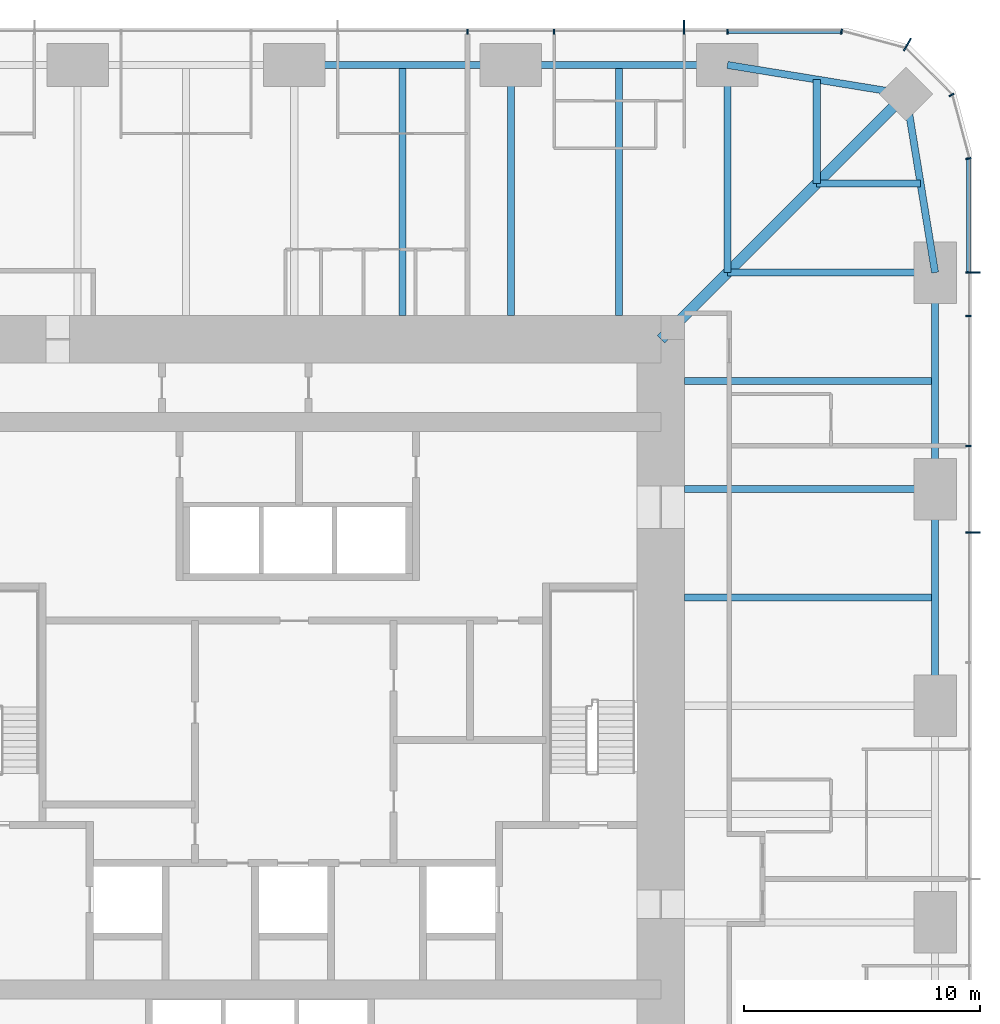
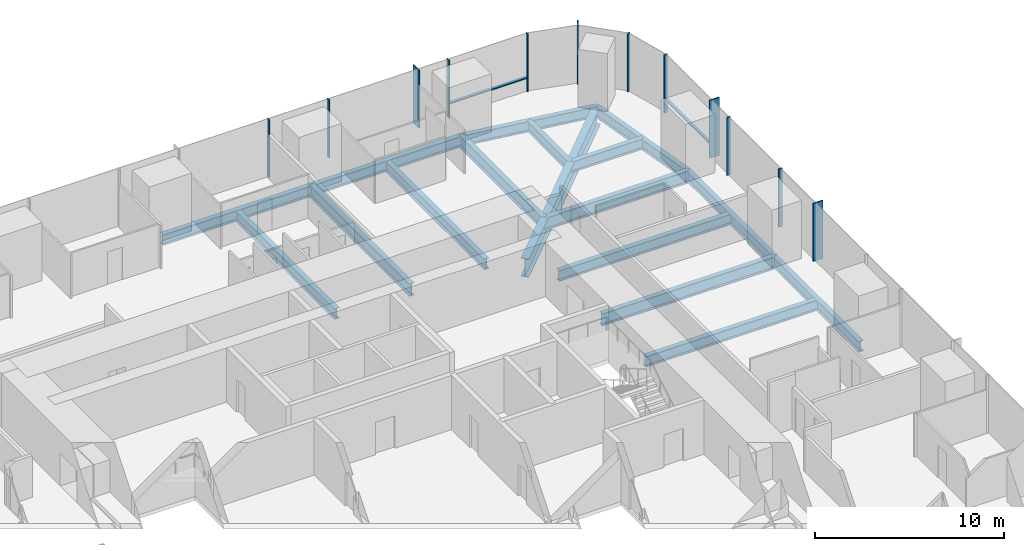
# One storey, part 6 of 13: 17 beams, 14 members, 3 elements without a shape of their own.
"""IFC4 building model written with IfcOpenShell, lengths in metres."""

from ifc_helpers import new_model, si_unit, direction, frame, origin, origin_2d, place, context, subcontext, project, spatial, rectangle, i_section, extrude, material, material_profile, profile_set, type_object, element, aggregate, save


model = new_model("IFC4")

# Units and contexts
model_context = context("Model", 3, precision=1e-05, world=origin(), true_north=direction((0.0, 1.0)))
body_context = subcontext(model_context, "Body", "Model", "MODEL_VIEW")
ifc_project = project(units=[si_unit("LENGTHUNIT", "METRE"), si_unit("AREAUNIT", "SQUARE_METRE"), si_unit("VOLUMEUNIT", "CUBIC_METRE"), si_unit("PLANEANGLEUNIT", "RADIAN"), si_unit("MASSUNIT", "GRAM", prefix="KILO")], contexts=[model_context])

# Site, building, storey
site_placement = place(None, origin())
site = spatial("IfcSite", under=ifc_project, at=site_placement, CompositionType="ELEMENT")
building_placement = place(site_placement, origin())
building = spatial("IfcBuilding", under=site, at=building_placement, Name="Khuree Lantern Residences", CompositionType="ELEMENT")
storey_placement = place(building_placement, frame((0.0, 0.0, 152.25)))
storey = spatial("IfcBuildingStorey", under=building, at=storey_placement, Name="L38", CompositionType="ELEMENT", Elevation=152.25)

# Beams
ifc_material_1 = material(Name="Steel S355", Category="steel")
ifc_material_profile_1 = material_profile(ifc_material_1, i_section(OverallWidth=0.300048828125, OverallDepth=0.68994140625, WebThickness=0.014404296875, FlangeThickness=0.027099609375, FilletRadius=0.027099609375, at=origin_2d()), Name="HE 700 A")
ifc_profile_set_1 = profile_set([ifc_material_profile_1], Name="Steel S355")
beam_type_1 = type_object("IfcBeamType", Name="B-24 SECONDARY BEAM HE 700 A", PredefinedType="BEAM", material=ifc_profile_set_1)
for number, where, z_axis, x_axis, name in (
    (1, (4.580078125, 27.10009765625, -0.594970703125), (0.0, -1.0, 0.0), (1.0, 0.0, 0.0), "Secondary beam N3"),
    (2, (13.739990234375, 27.10009765625, -0.594970703125), (0.0, -1.0, 0.0), (1.0, 0.0, 0.0), "Secondary beam N4"),
):
    element("IfcBeam", number, at=place(storey_placement, frame(where, z_axis=z_axis, x_axis=x_axis)), inside=storey, type_object=beam_type_1, Name=name, PredefinedType="BEAM", context=body_context, shape_type="SweptSolid", body=[
        extrude(i_section(OverallWidth=0.300048828125, OverallDepth=0.68994140625, WebThickness=0.014404296875, FlangeThickness=0.027099609375, FilletRadius=0.027099609375, at=origin_2d()), origin(), (0.0, 0.0, 1.0), 10.60009765625),
    ])
for number, where, z_axis, x_axis, name in (
    (3, (22.094970703125, 26.48486328125, -0.594970703125), (0.0, -1.0, 0.0), (1.0, 0.0, 0.0), "Secondary beam N5"),
    (4, (26.48486328125, 22.094970703125, -0.594970703125), (-1.0, 0.0, 0.0), (0.0, -1.0, 0.0), "Secondary beam E1"),
):
    element("IfcBeam", number, at=place(storey_placement, frame(where, z_axis=z_axis, x_axis=x_axis)), inside=storey, type_object=beam_type_1, Name=name, PredefinedType="BEAM", context=body_context, shape_type="SweptSolid", body=[
        extrude(i_section(OverallWidth=0.300048828125, OverallDepth=0.68994140625, WebThickness=0.014404296875, FlangeThickness=0.027099609375, FilletRadius=0.027099609375, at=origin_2d()), origin(), (0.0, 0.0, 1.0), 4.389892578125),
    ])
for number, where, z_axis, x_axis, name in (
    (5, (27.10009765625, 13.739990234375, -0.594970703125), (-1.0, 0.0, 0.0), (0.0, -1.0, 0.0), "Secondary beam E2"),
    (6, (27.10009765625, 4.580078125, -0.594970703125), (-1.0, 0.0, 0.0), (0.0, -1.0, 0.0), "Secondary beam E3"),
):
    element("IfcBeam", number, at=place(storey_placement, frame(where, z_axis=z_axis, x_axis=x_axis)), inside=storey, type_object=beam_type_1, Name=name, PredefinedType="BEAM", context=body_context, shape_type="SweptSolid", body=[
        extrude(i_section(OverallWidth=0.300048828125, OverallDepth=0.68994140625, WebThickness=0.014404296875, FlangeThickness=0.027099609375, FilletRadius=0.027099609375, at=origin_2d()), origin(), (0.0, 0.0, 1.0), 10.60009765625),
    ])
ifc_material_profile_2 = material_profile(ifc_material_1, i_section(OverallWidth=0.300048828125, OverallDepth=0.68994140625, WebThickness=0.014404296875, FlangeThickness=0.027099609375, FilletRadius=0.027099609375, at=origin_2d()), Name="HE 700 A")
ifc_profile_set_2 = profile_set([ifc_material_profile_2], Name="Steel S355")
beam_type_2 = type_object("IfcBeamType", Name="E-24 SPANDREL BEAM HE 700 A", PredefinedType="SPANDREL", material=ifc_profile_set_2)
beam_1_placement = place(storey_placement, frame((0.0, 27.10009765625, -0.594970703125), z_axis=(1.0, 0.0, 0.0), x_axis=(0.0, 1.0, 0.0)))
element("IfcBeam", 7, at=beam_1_placement, inside=storey, type_object=beam_type_2, Name="Spandrel beam N3", PredefinedType="SPANDREL", context=body_context, shape_type="SweptSolid", body=[
    extrude(i_section(OverallWidth=0.300048828125, OverallDepth=0.68994140625, WebThickness=0.014404296875, FlangeThickness=0.027099609375, FilletRadius=0.027099609375, at=origin_2d()), origin(), (0.0, 0.0, 1.0), 9.159912109375),
])
beam_2_placement = place(storey_placement, frame((9.159912109375, 27.10009765625, -0.594970703125), z_axis=(1.0, 0.0, 0.0), x_axis=(0.0, 1.0, 0.0)))
element("IfcBeam", 8, at=beam_2_placement, inside=storey, type_object=beam_type_2, Name="Spandrel beam N4", PredefinedType="SPANDREL", context=body_context, shape_type="SweptSolid", body=[
    extrude(i_section(OverallWidth=0.300048828125, OverallDepth=0.68994140625, WebThickness=0.014404296875, FlangeThickness=0.027099609375, FilletRadius=0.027099609375, at=origin_2d()), origin(), (0.0, 0.0, 1.0), 9.16015625),
])
for number, where, z_axis, x_axis, name in (
    (9, (18.320068359375, 27.10009765625, -0.594970703125), (0.986982656839, -0.160826723833, 0.0), (0.160826723833, 0.986982656839, 0.0), "Spandrel beam N5"),
    (10, (25.869873046875, 25.869873046875, -0.594970703125), (0.160826723833, -0.986982656839, 0.0), (0.986982656839, 0.160826723833, 0.0), "Spandrel beam E1"),
):
    element("IfcBeam", number, at=place(storey_placement, frame(where, z_axis=z_axis, x_axis=x_axis)), inside=storey, type_object=beam_type_2, Name=name, PredefinedType="SPANDREL", context=body_context, shape_type="SweptSolid", body=[
        extrude(i_section(OverallWidth=0.300048828125, OverallDepth=0.68994140625, WebThickness=0.014404296875, FlangeThickness=0.027099609375, FilletRadius=0.027099609375, at=origin_2d()), origin(), (0.0, 0.0, 1.0), 7.6494140625),
    ])
beam_3_placement = place(storey_placement, frame((27.10009765625, 18.320068359375, -0.594970703125), z_axis=(0.0, -1.0, 0.0), x_axis=(1.0, 0.0, 0.0)))
element("IfcBeam", 11, at=beam_3_placement, inside=storey, type_object=beam_type_2, Name="Spandrel beam E2", PredefinedType="SPANDREL", context=body_context, shape_type="SweptSolid", body=[
    extrude(i_section(OverallWidth=0.300048828125, OverallDepth=0.68994140625, WebThickness=0.014404296875, FlangeThickness=0.027099609375, FilletRadius=0.027099609375, at=origin_2d()), origin(), (0.0, 0.0, 1.0), 9.16015625),
])
beam_4_placement = place(storey_placement, frame((27.10009765625, 9.159912109375, -0.594970703125), z_axis=(0.0, -1.0, 0.0), x_axis=(1.0, 0.0, 0.0)))
element("IfcBeam", 12, at=beam_4_placement, inside=storey, type_object=beam_type_2, Name="Spandrel beam E3", PredefinedType="SPANDREL", context=body_context, shape_type="SweptSolid", body=[
    extrude(i_section(OverallWidth=0.300048828125, OverallDepth=0.68994140625, WebThickness=0.014404296875, FlangeThickness=0.027099609375, FilletRadius=0.027099609375, at=origin_2d()), origin(), (0.0, 0.0, 1.0), 9.159912109375),
])

# Curtain wall, members
ifc_material_2 = material(Name="Bronze anodised aluminium", Category="aluminium")
curtain_wall_type_1 = type_object("IfcCurtainWallType", Name="CW-T1 TOWER FACE CURTAIN WALL", PredefinedType="USERDEFINED", material=ifc_material_2)
curtain_wall_1_placement = place(storey_placement, origin())
curtain_wall_1 = element("IfcCurtainWall", 13, at=curtain_wall_1_placement, inside=storey, type_object=curtain_wall_type_1, Name="L38 EAST FACE CURTAIN WALL", ObjectType="Stick-built curtain wall", PredefinedType="USERDEFINED")
ifc_material_profile_3 = material_profile(ifc_material_2, rectangle(XDim=0.06494140625, YDim=0.60009765625, at=origin_2d()), Name="F1 65X600")
ifc_profile_set_3 = profile_set([ifc_material_profile_3], Name="Bronze anodised aluminium")
member_type_1 = type_object("IfcMemberType", Name="F1 BRONZE FIN MULLION TOWER 65X600", PredefinedType="MULLION", material=ifc_profile_set_3)
member_1_placement = place(storey_placement, frame((28.699951171875, 7.327880859375, 0.0), z_axis=(0.0, 0.0, 1.0), x_axis=(0.0, 1.0, 0.0)))
member_1 = element("IfcMember", 14, at=member_1_placement, type_object=member_type_1, Name="L38 EAST FACE FIN MULLION 11", PredefinedType="MULLION", context=body_context, shape_type="SweptSolid", body=[
    extrude(rectangle(XDim=0.06494140625, YDim=0.60009765625, at=origin_2d()), origin(), (0.0, 0.0, 1.0), 3.75),
])
member_2_placement = place(storey_placement, frame((28.699951171875, 18.320068359375, 0.0), z_axis=(0.0, 0.0, 1.0), x_axis=(0.0, 1.0, 0.0)))
member_2 = element("IfcMember", 15, at=member_2_placement, type_object=member_type_1, Name="L38 EAST FACE FIN MULLION 14", PredefinedType="MULLION", context=body_context, shape_type="SweptSolid", body=[
    extrude(rectangle(XDim=0.06494140625, YDim=0.60009765625, at=origin_2d()), origin(), (0.0, 0.0, 1.0), 3.75),
])

# Curtain wall, member
curtain_wall_type_2 = type_object("IfcCurtainWallType", Name="CW-T2 TOWER CORNER CURTAIN WALL", PredefinedType="USERDEFINED", material=ifc_material_2)
curtain_wall_2_placement = place(storey_placement, origin())
curtain_wall_2 = element("IfcCurtainWall", 16, at=curtain_wall_2_placement, inside=storey, type_object=curtain_wall_type_2, Name="L38 NORTH-EAST CORNER CURTAIN WALL", ObjectType="Faceted corner curtain wall", PredefinedType="USERDEFINED")
member_3_placement = place(storey_placement, frame((25.925048828125, 27.95654296875, 0.0), z_axis=(0.0, 0.0, 1.0), x_axis=(-0.866025388199, 0.500000026995, 0.0)))
member_3 = element("IfcMember", 17, at=member_3_placement, type_object=member_type_1, Name="L38 NORTH-EAST CORNER FIN MULLION 17", PredefinedType="MULLION", context=body_context, shape_type="SweptSolid", body=[
    extrude(rectangle(XDim=0.06494140625, YDim=0.60009765625, at=origin_2d()), origin(), (0.0, 0.0, 1.0), 3.75),
])

curtain_wall_3_placement = place(storey_placement, origin())
curtain_wall_3 = element("IfcCurtainWall", 18, at=curtain_wall_3_placement, inside=storey, type_object=curtain_wall_type_1, Name="L38 NORTH FACE CURTAIN WALL", ObjectType="Stick-built curtain wall", PredefinedType="USERDEFINED")
member_4_placement = place(storey_placement, frame((16.488037109375, 28.699951171875, 0.0), z_axis=(0.0, 0.0, 1.0), x_axis=(-1.0, 0.0, 0.0)))
member_4 = element("IfcMember", 19, at=member_4_placement, type_object=member_type_1, Name="L38 NORTH FACE FIN MULLION 20", PredefinedType="MULLION", context=body_context, shape_type="SweptSolid", body=[
    extrude(rectangle(XDim=0.06494140625, YDim=0.60009765625, at=origin_2d()), origin(), (0.0, 0.0, 1.0), 3.75),
])

# Beams
ifc_material_profile_4 = material_profile(ifc_material_1, i_section(OverallWidth=0.300048828125, OverallDepth=0.800048828125, WebThickness=0.017578125, FlangeThickness=0.032958984375, FilletRadius=0.030029296875, at=origin_2d()), Name="HE 800 B")
ifc_profile_set_4 = profile_set([ifc_material_profile_4], Name="Steel S355")
beam_type_3 = type_object("IfcBeamType", Name="G-24 GIRDER HE 800 B", PredefinedType="BEAM", material=ifc_profile_set_4)
beam_5_placement = place(storey_placement, frame((9.159912109375, 27.10009765625, -0.64990234375), z_axis=(0.0, -1.0, 0.0), x_axis=(1.0, 0.0, 0.0)))
element("IfcBeam", 20, at=beam_5_placement, inside=storey, type_object=beam_type_3, Name="Girder N4", PredefinedType="BEAM", context=body_context, shape_type="SweptSolid", body=[
    extrude(i_section(OverallWidth=0.300048828125, OverallDepth=0.800048828125, WebThickness=0.017578125, FlangeThickness=0.032958984375, FilletRadius=0.030029296875, at=origin_2d()), origin(), (0.0, 0.0, 1.0), 10.60009765625),
])
for number, where, z_axis, x_axis, name in (
    (21, (18.320068359375, 27.10009765625, -0.64990234375), (0.0, -1.0, 0.0), (1.0, 0.0, 0.0), "Girder N5"),
    (22, (27.10009765625, 18.320068359375, -0.64990234375), (-1.0, 0.0, 0.0), (0.0, -1.0, 0.0), "Girder E1"),
):
    element("IfcBeam", number, at=place(storey_placement, frame(where, z_axis=z_axis, x_axis=x_axis)), inside=storey, type_object=beam_type_3, Name=name, PredefinedType="BEAM", context=body_context, shape_type="SweptSolid", body=[
        extrude(i_section(OverallWidth=0.300048828125, OverallDepth=0.800048828125, WebThickness=0.017578125, FlangeThickness=0.032958984375, FilletRadius=0.030029296875, at=origin_2d()), origin(), (0.0, 0.0, 1.0), 8.780029296875),
    ])
beam_6_placement = place(storey_placement, frame((27.10009765625, 9.159912109375, -0.64990234375), z_axis=(-1.0, 0.0, 0.0), x_axis=(0.0, -1.0, 0.0)))
element("IfcBeam", 23, at=beam_6_placement, inside=storey, type_object=beam_type_3, Name="Girder E2", PredefinedType="BEAM", context=body_context, shape_type="SweptSolid", body=[
    extrude(i_section(OverallWidth=0.300048828125, OverallDepth=0.800048828125, WebThickness=0.017578125, FlangeThickness=0.032958984375, FilletRadius=0.030029296875, at=origin_2d()), origin(), (0.0, 0.0, 1.0), 10.60009765625),
])
ifc_material_profile_5 = material_profile(ifc_material_1, i_section(OverallWidth=0.449951171875, OverallDepth=1.199951171875, WebThickness=0.02490234375, FlangeThickness=0.044921875, at=origin_2d()), Name="WELDED I 1200X450X25X45")
ifc_profile_set_5 = profile_set([ifc_material_profile_5], Name="Steel S355")
beam_type_4 = type_object("IfcBeamType", Name="GD-24 CORNER GIRDER WELDED I 1200X450X25X45", PredefinedType="BEAM", material=ifc_profile_set_5)
beam_7_placement = place(storey_placement, frame((25.869873046875, 25.869873046875, -0.85009765625), z_axis=(-0.707106781187, -0.707106781187, 0.0), x_axis=(0.707106781187, -0.707106781187, 0.0)))
element("IfcBeam", 24, at=beam_7_placement, inside=storey, type_object=beam_type_4, Name="Corner girder NE", PredefinedType="BEAM", context=body_context, shape_type="SweptSolid", body=[
    extrude(i_section(OverallWidth=0.449951171875, OverallDepth=1.199951171875, WebThickness=0.02490234375, FlangeThickness=0.044921875, at=origin_2d()), origin(), (0.0, 0.0, 1.0), 14.665283203125),
])

# Member
ifc_material_profile_6 = material_profile(ifc_material_2, rectangle(XDim=0.06494140625, YDim=0.219970703125, at=origin_2d()), Name="M1 65X220")
ifc_profile_set_6 = profile_set([ifc_material_profile_6], Name="Bronze anodised aluminium")
member_type_2 = type_object("IfcMemberType", Name="M1 BRONZE MULLION TOWER 65X220", PredefinedType="MULLION", material=ifc_profile_set_6)
member_5_placement = place(storey_placement, frame((28.510009765625, 10.991943359375, 0.0), z_axis=(0.0, 0.0, 1.0), x_axis=(0.0, 1.0, 0.0)))
member_5 = element("IfcMember", 25, at=member_5_placement, type_object=member_type_2, Name="L38 EAST FACE MULLION 12", PredefinedType="MULLION", context=body_context, shape_type="SweptSolid", body=[
    extrude(rectangle(XDim=0.06494140625, YDim=0.219970703125, at=origin_2d()), origin(), (0.0, 0.0, 1.0), 3.75),
])

member_6_placement = place(storey_placement, frame((28.510009765625, 16.488037109375, 0.0), z_axis=(0.0, 0.0, 1.0), x_axis=(0.0, 1.0, 0.0)))
member_6 = element("IfcMember", 26, at=member_6_placement, type_object=member_type_2, Name="L38 EAST FACE MULLION 13", PredefinedType="MULLION", context=body_context, shape_type="SweptSolid", body=[
    extrude(rectangle(XDim=0.06494140625, YDim=0.219970703125, at=origin_2d()), origin(), (0.0, 0.0, 1.0), 3.75),
])

member_7_placement = place(storey_placement, frame((28.51171875, 23.14501953125, 0.0), z_axis=(0.0, 0.0, 1.0), x_axis=(-0.130526223125, 0.991444857305, 0.0)))
member_7 = element("IfcMember", 27, at=member_7_placement, type_object=member_type_2, Name="L38 NORTH-EAST CORNER MULLION 15", PredefinedType="MULLION", context=body_context, shape_type="SweptSolid", body=[
    extrude(rectangle(XDim=0.06494140625, YDim=0.219970703125, at=origin_2d()), origin(), (0.0, 0.0, 1.0), 3.75),
])

member_8_placement = place(storey_placement, frame((27.7919921875, 25.830078125, 0.0), z_axis=(0.0, 0.0, 1.0), x_axis=(-0.500000026995, 0.866025388199, 0.0)))
member_8 = element("IfcMember", 28, at=member_8_placement, type_object=member_type_2, Name="L38 NORTH-EAST CORNER MULLION 16", PredefinedType="MULLION", context=body_context, shape_type="SweptSolid", body=[
    extrude(rectangle(XDim=0.06494140625, YDim=0.219970703125, at=origin_2d()), origin(), (0.0, 0.0, 1.0), 3.75),
])

aggregate(curtain_wall_2, [member_7, member_8, member_3])

member_9_placement = place(storey_placement, frame((23.14501953125, 28.51171875, 0.0), z_axis=(0.0, 0.0, 1.0), x_axis=(-0.991444857305, 0.130526223125, 0.0)))
member_9 = element("IfcMember", 29, at=member_9_placement, type_object=member_type_2, Name="L38 NORTH FACE MULLION 18", PredefinedType="MULLION", context=body_context, shape_type="SweptSolid", body=[
    extrude(rectangle(XDim=0.06494140625, YDim=0.219970703125, at=origin_2d()), origin(), (0.0, 0.0, 1.0), 3.75),
])

member_10_placement = place(storey_placement, frame((18.320068359375, 28.510009765625, 0.0), z_axis=(0.0, 0.0, 1.0), x_axis=(-1.0, 0.0, 0.0)))
member_10 = element("IfcMember", 30, at=member_10_placement, type_object=member_type_2, Name="L38 NORTH FACE MULLION 19", PredefinedType="MULLION", context=body_context, shape_type="SweptSolid", body=[
    extrude(rectangle(XDim=0.06494140625, YDim=0.219970703125, at=origin_2d()), origin(), (0.0, 0.0, 1.0), 3.75),
])

member_11_placement = place(storey_placement, frame((10.991943359375, 28.510009765625, 0.0), z_axis=(0.0, 0.0, 1.0), x_axis=(-1.0, 0.0, 0.0)))
member_11 = element("IfcMember", 31, at=member_11_placement, type_object=member_type_2, Name="L38 NORTH FACE MULLION 21", PredefinedType="MULLION", context=body_context, shape_type="SweptSolid", body=[
    extrude(rectangle(XDim=0.06494140625, YDim=0.219970703125, at=origin_2d()), origin(), (0.0, 0.0, 1.0), 3.75),
])

member_12_placement = place(storey_placement, frame((7.327880859375, 28.510009765625, 0.0), z_axis=(0.0, 0.0, 1.0), x_axis=(-1.0, 0.0, 0.0)))
member_12 = element("IfcMember", 32, at=member_12_placement, type_object=member_type_2, Name="L38 NORTH FACE MULLION 22", PredefinedType="MULLION", context=body_context, shape_type="SweptSolid", body=[
    extrude(rectangle(XDim=0.06494140625, YDim=0.219970703125, at=origin_2d()), origin(), (0.0, 0.0, 1.0), 3.75),
])

ifc_material_profile_7 = material_profile(ifc_material_2, rectangle(XDim=0.179931640625, YDim=0.06494140625, at=origin_2d()), Name="T1 180X65")
ifc_profile_set_7 = profile_set([ifc_material_profile_7], Name="Bronze anodised aluminium")
member_type_3 = type_object("IfcMemberType", Name="TRANSOM T1 TOWER 180X65", PredefinedType="USERDEFINED", material=ifc_profile_set_7)
member_13_placement = place(storey_placement, frame((28.52001953125, 18.3525390625, 0.89990234375), z_axis=(0.0, 1.0, 0.0), x_axis=(-1.0, 0.0, 0.0)))
member_13 = element("IfcMember", 33, at=member_13_placement, type_object=member_type_3, Name="L38 EAST FACE TRANSOM 14.1", ObjectType="Transom", PredefinedType="USERDEFINED", context=body_context, shape_type="SweptSolid", body=[
    extrude(rectangle(XDim=0.179931640625, YDim=0.06494140625, at=origin_2d()), origin(), (0.0, 0.0, 1.0), 4.748779296875),
])

aggregate(curtain_wall_1, [member_1, member_5, member_6, member_2, member_13])

member_14_placement = place(storey_placement, frame((23.101318359375, 28.52001953125, 0.89990234375), z_axis=(-1.0, 0.0, 0.0), x_axis=(0.0, -1.0, 0.0)))
member_14 = element("IfcMember", 34, at=member_14_placement, type_object=member_type_3, Name="L38 NORTH FACE TRANSOM 18.1", ObjectType="Transom", PredefinedType="USERDEFINED", context=body_context, shape_type="SweptSolid", body=[
    extrude(rectangle(XDim=0.179931640625, YDim=0.06494140625, at=origin_2d()), origin(), (0.0, 0.0, 1.0), 4.748779296875),
])

aggregate(curtain_wall_3, [member_9, member_10, member_4, member_11, member_12, member_14])

save(model, "model.ifc")
